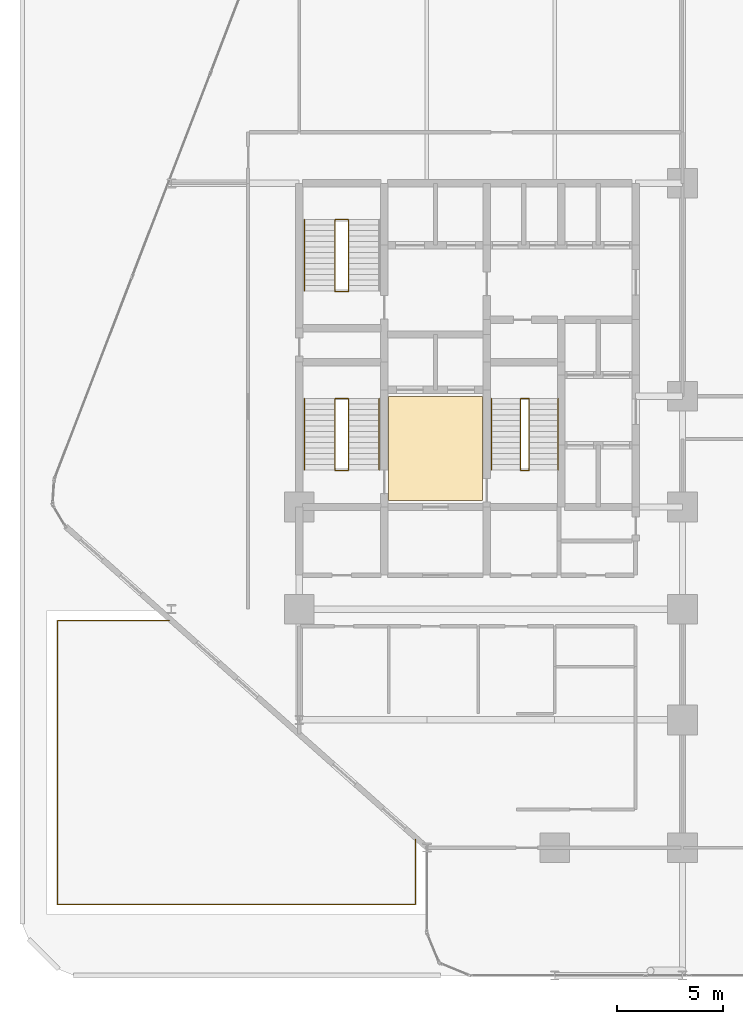
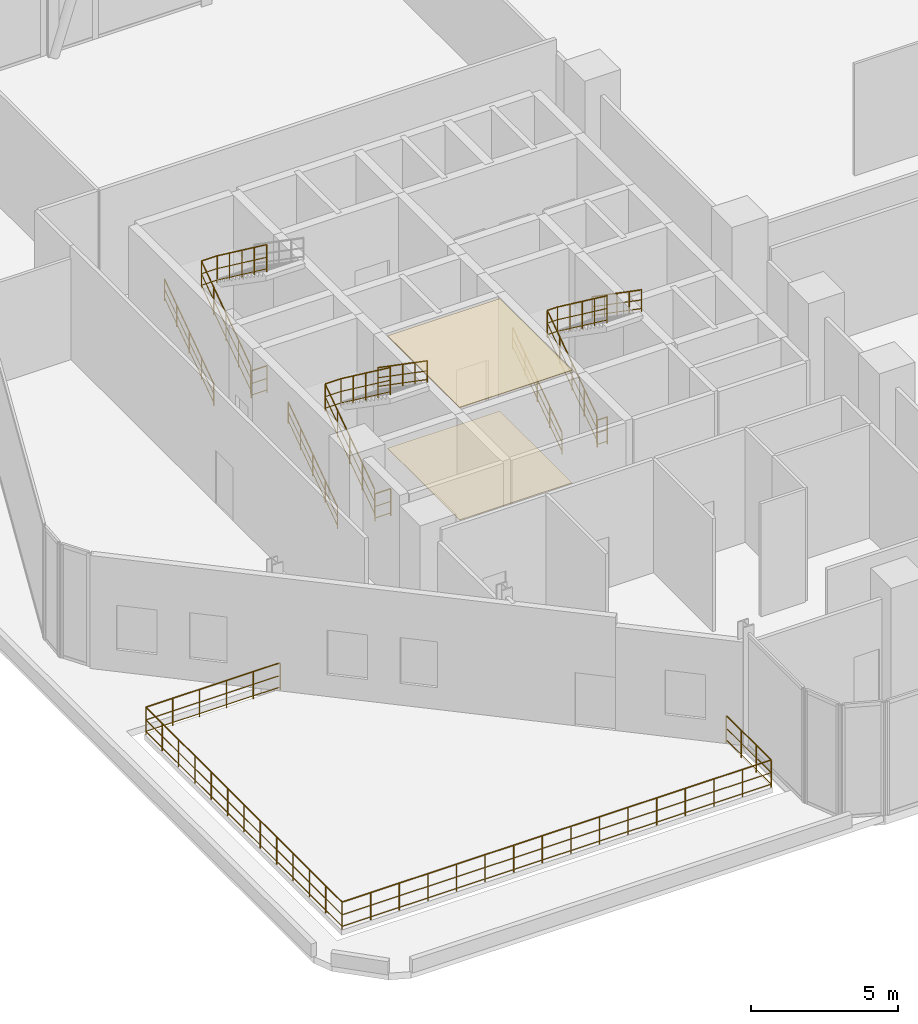
# One storey, part 28 of 29: 15 railings, 2 coverings.
"""IFC4 building model written with IfcOpenShell, lengths in metres."""

from ifc_helpers import new_model, si_unit, direction, frame, origin, origin_2d, place, context, subcontext, project, spatial, polyline, circle, outline, extrude, material, layer, layer_set, type_object, element, save


model = new_model("IFC4")

# Units and contexts
model_context = context("Model", 3, precision=1e-05, world=origin(), true_north=direction((0.0, 1.0)))
body_context = subcontext(model_context, "Body", "Model", "MODEL_VIEW")
ifc_project = project(units=[si_unit("LENGTHUNIT", "METRE"), si_unit("AREAUNIT", "SQUARE_METRE"), si_unit("VOLUMEUNIT", "CUBIC_METRE"), si_unit("PLANEANGLEUNIT", "RADIAN"), si_unit("MASSUNIT", "GRAM", prefix="KILO")], contexts=[model_context])

# Site, building, storey
site_placement = place(None, origin())
site = spatial("IfcSite", under=ifc_project, at=site_placement, CompositionType="ELEMENT")
building_placement = place(site_placement, origin())
building = spatial("IfcBuilding", under=site, at=building_placement, Name="Keshet Zoharim Tower", CompositionType="ELEMENT")
storey_placement = place(building_placement, frame((0.0, 0.0, 19.0)))
storey = spatial("IfcBuildingStorey", under=building, at=storey_placement, Name="L03", CompositionType="ELEMENT", Elevation=19.0)

# Coverings
ifc_material_1 = material(Name="Gypsum Plasterboard", Category="gypsum")
ifc_layer_1 = layer(ifc_material_1, 0.02490234375)
ifc_layer_set_1 = layer_set([ifc_layer_1], Name="Gypsum Plasterboard")
covering_type_1 = type_object("IfcCoveringType", Name="CV-CLG-025", PredefinedType="CEILING", material=ifc_layer_set_1)
covering_1_placement = place(storey_placement, frame((0.0, 0.0, 4.659912109375)))
element("IfcCovering", 1, at=covering_1_placement, inside=storey, type_object=covering_type_1, Name="L03 Core Lobby Acoustic Ceiling", PredefinedType="CEILING", context=body_context, shape_type="SweptSolid", body=[
    extrude(outline(polyline([(19.199951171875, 23.0), (23.60009765625, 23.0), (23.60009765625, 27.89990234375), (19.199951171875, 27.89990234375), (19.199951171875, 23.0)])), origin(), (0.0, 0.0, 1.0), 0.025146484375),
])
ifc_material_2 = material(Name="Porcelain Ceramic Tile", Category="ceramic")
ifc_layer_2 = layer(ifc_material_2, 0.02001953125)
ifc_layer_set_2 = layer_set([ifc_layer_2], Name="Porcelain Ceramic Tile")
covering_type_2 = type_object("IfcCoveringType", Name="CV-FLR-020", PredefinedType="FLOORING", material=ifc_layer_set_2)
covering_2_placement = place(storey_placement, origin())
element("IfcCovering", 2, at=covering_2_placement, inside=storey, type_object=covering_type_2, Name="L03 Core Lobby Porcelain Flooring", PredefinedType="FLOORING", context=body_context, shape_type="SweptSolid", body=[
    extrude(outline(polyline([(19.199951171875, 23.0), (23.60009765625, 23.0), (23.60009765625, 27.89990234375), (19.199951171875, 27.89990234375), (19.199951171875, 23.0)])), origin(), (0.0, 0.0, 1.0), 0.02001953125),
])

# Railings
ifc_material_3 = material(Name="Steel S355", Category="steel")
ifc_layer_3 = layer(ifc_material_3, 0.050048828125)
ifc_layer_set_3 = layer_set([ifc_layer_3], Name="Steel S355")
railing_type_1 = type_object("IfcRailingType", Name="RL-HND-092", PredefinedType="HANDRAIL", material=ifc_layer_set_3)
railing_1_placement = place(storey_placement, frame((15.239990234375, 24.43994140625, 0.1787109375)))
element("IfcRailing", 3, at=railing_1_placement, inside=storey, type_object=railing_type_1, Name="L03 ST-01 Flight 1 Wall Handrail", PredefinedType="HANDRAIL", context=body_context, shape_type="SweptSolid", body=[
    extrude(circle(Radius=0.02392578125, at=origin_2d()), frame((0.0, 0.0, 0.89599609375), z_axis=(0.0, 0.82227406339, 0.569091701464), x_axis=(-1.0, 0.0, 0.0)), (0.0, 0.0, 1.0), 4.078857421875),
    extrude(circle(Radius=0.01611328125, at=origin_2d()), frame((0.0, 0.0, 0.478271484375), z_axis=(0.0, 0.82227406339, 0.569091701464), x_axis=(-1.0, 0.0, 0.0)), (0.0, 0.0, 1.0), 4.078857421875),
    extrude(circle(Radius=0.01611328125, at=origin_2d()), frame((0.0, 0.0, 0.1201171875), z_axis=(0.0, 0.82227406339, 0.569091701464), x_axis=(-1.0, 0.0, 0.0)), (0.0, 0.0, 1.0), 4.078857421875),
    extrude(circle(Radius=0.02099609375, at=origin_2d()), origin(), (0.0, 0.0, 1.0), 0.871826171875),
    extrude(circle(Radius=0.02099609375, at=origin_2d()), frame((0.0, 0.83837890625, 0.580322265625)), (0.0, 0.0, 1.0), 0.871826171875),
    extrude(circle(Radius=0.02099609375, at=origin_2d()), frame((0.0, 1.677001953125, 1.16064453125)), (0.0, 0.0, 1.0), 0.871826171875),
    extrude(circle(Radius=0.02099609375, at=origin_2d()), frame((0.0, 2.515625, 1.740966796875)), (0.0, 0.0, 1.0), 0.871826171875),
    extrude(circle(Radius=0.02099609375, at=origin_2d()), frame((0.0, 3.35400390625, 2.3212890625)), (0.0, 0.0, 1.0), 0.871826171875),
])
railing_2_placement = place(storey_placement, frame((18.760009765625, 27.7939453125, 2.6787109375)))
element("IfcRailing", 4, at=railing_2_placement, inside=storey, type_object=railing_type_1, Name="L03 ST-01 Flight 2 Wall Handrail", PredefinedType="HANDRAIL", context=body_context, shape_type="SweptSolid", body=[
    extrude(circle(Radius=0.02392578125, at=origin_2d()), frame((0.0, 0.0, 0.89599609375), z_axis=(0.0, -0.82227406339, 0.569091701464), x_axis=(1.0, 0.0, 0.0)), (0.0, 0.0, 1.0), 4.078857421875),
    extrude(circle(Radius=0.01611328125, at=origin_2d()), frame((0.0, 0.0, 0.478271484375), z_axis=(0.0, -0.82227406339, 0.569091701464), x_axis=(1.0, 0.0, 0.0)), (0.0, 0.0, 1.0), 4.078857421875),
    extrude(circle(Radius=0.01611328125, at=origin_2d()), frame((0.0, 0.0, 0.1201171875), z_axis=(0.0, -0.82227406339, 0.569091701464), x_axis=(1.0, 0.0, 0.0)), (0.0, 0.0, 1.0), 4.078857421875),
    extrude(circle(Radius=0.02099609375, at=origin_2d()), origin(), (0.0, 0.0, 1.0), 0.871826171875),
    extrude(circle(Radius=0.02099609375, at=origin_2d()), frame((0.0, -0.83837890625, 0.580322265625)), (0.0, 0.0, 1.0), 0.871826171875),
    extrude(circle(Radius=0.02099609375, at=origin_2d()), frame((0.0, -1.677001953125, 1.16064453125)), (0.0, 0.0, 1.0), 0.871826171875),
    extrude(circle(Radius=0.02099609375, at=origin_2d()), frame((0.0, -2.515625, 1.740966796875)), (0.0, 0.0, 1.0), 0.871826171875),
    extrude(circle(Radius=0.02099609375, at=origin_2d()), frame((0.0, -3.35400390625, 2.3212890625)), (0.0, 0.0, 1.0), 0.871826171875),
])
for number, where, name in (
    (5, (15.239990234375, 32.840087890625, 0.1787109375), "L03 ST-02 Flight 1 Wall Handrail"),
    (6, (24.0400390625, 24.43994140625, 0.1787109375), "L03 ST-03 Flight 1 Wall Handrail"),
):
    element("IfcRailing", number, at=place(storey_placement, frame(where)), inside=storey, type_object=railing_type_1, Name=name, PredefinedType="HANDRAIL", context=body_context, shape_type="SweptSolid", body=[
        extrude(circle(Radius=0.02392578125, at=origin_2d()), frame((0.0, 0.0, 0.89599609375), z_axis=(0.0, 0.82227406339, 0.569091701464), x_axis=(-1.0, 0.0, 0.0)), (0.0, 0.0, 1.0), 4.078857421875),
        extrude(circle(Radius=0.01611328125, at=origin_2d()), frame((0.0, 0.0, 0.478271484375), z_axis=(0.0, 0.82227406339, 0.569091701464), x_axis=(-1.0, 0.0, 0.0)), (0.0, 0.0, 1.0), 4.078857421875),
        extrude(circle(Radius=0.01611328125, at=origin_2d()), frame((0.0, 0.0, 0.1201171875), z_axis=(0.0, 0.82227406339, 0.569091701464), x_axis=(-1.0, 0.0, 0.0)), (0.0, 0.0, 1.0), 4.078857421875),
        extrude(circle(Radius=0.02099609375, at=origin_2d()), origin(), (0.0, 0.0, 1.0), 0.871826171875),
        extrude(circle(Radius=0.02099609375, at=origin_2d()), frame((0.0, 0.83837890625, 0.580322265625)), (0.0, 0.0, 1.0), 0.871826171875),
        extrude(circle(Radius=0.02099609375, at=origin_2d()), frame((0.0, 1.677001953125, 1.16064453125)), (0.0, 0.0, 1.0), 0.871826171875),
        extrude(circle(Radius=0.02099609375, at=origin_2d()), frame((0.0, 2.515625, 1.740966796875)), (0.0, 0.0, 1.0), 0.871826171875),
        extrude(circle(Radius=0.02099609375, at=origin_2d()), frame((0.0, 3.35400390625, 2.3212890625)), (0.0, 0.0, 1.0), 0.871826171875),
    ])
railing_3_placement = place(storey_placement, frame((27.159912109375, 27.7939453125, 2.6787109375)))
element("IfcRailing", 7, at=railing_3_placement, inside=storey, type_object=railing_type_1, Name="L03 ST-03 Flight 2 Wall Handrail", PredefinedType="HANDRAIL", context=body_context, shape_type="SweptSolid", body=[
    extrude(circle(Radius=0.02392578125, at=origin_2d()), frame((0.0, 0.0, 0.89599609375), z_axis=(0.0, -0.82227406339, 0.569091701464), x_axis=(1.0, 0.0, 0.0)), (0.0, 0.0, 1.0), 4.078857421875),
    extrude(circle(Radius=0.01611328125, at=origin_2d()), frame((0.0, 0.0, 0.478271484375), z_axis=(0.0, -0.82227406339, 0.569091701464), x_axis=(1.0, 0.0, 0.0)), (0.0, 0.0, 1.0), 4.078857421875),
    extrude(circle(Radius=0.01611328125, at=origin_2d()), frame((0.0, 0.0, 0.1201171875), z_axis=(0.0, -0.82227406339, 0.569091701464), x_axis=(1.0, 0.0, 0.0)), (0.0, 0.0, 1.0), 4.078857421875),
    extrude(circle(Radius=0.02099609375, at=origin_2d()), origin(), (0.0, 0.0, 1.0), 0.871826171875),
    extrude(circle(Radius=0.02099609375, at=origin_2d()), frame((0.0, -0.83837890625, 0.580322265625)), (0.0, 0.0, 1.0), 0.871826171875),
    extrude(circle(Radius=0.02099609375, at=origin_2d()), frame((0.0, -1.677001953125, 1.16064453125)), (0.0, 0.0, 1.0), 0.871826171875),
    extrude(circle(Radius=0.02099609375, at=origin_2d()), frame((0.0, -2.515625, 1.740966796875)), (0.0, 0.0, 1.0), 0.871826171875),
    extrude(circle(Radius=0.02099609375, at=origin_2d()), frame((0.0, -3.35400390625, 2.3212890625)), (0.0, 0.0, 1.0), 0.871826171875),
])
ifc_layer_4 = layer(ifc_material_3, 0.06005859375)
ifc_layer_set_4 = layer_set([ifc_layer_4], Name="Steel S355")
railing_type_2 = type_object("IfcRailingType", Name="RL-STG-115", PredefinedType="GUARDRAIL", material=ifc_layer_set_4)
railing_4_placement = place(storey_placement, frame((16.68994140625, 24.43994140625, 0.1787109375)))
element("IfcRailing", 8, at=railing_4_placement, inside=storey, type_object=railing_type_2, Name="L03 ST-01 Inner Well Guardrail", PredefinedType="GUARDRAIL", context=body_context, shape_type="SweptSolid", body=[
    extrude(circle(Radius=0.02392578125, at=origin_2d()), frame((0.0, 0.0, 1.1259765625), z_axis=(0.0, 0.82227406339, 0.569091701464), x_axis=(-1.0, 0.0, 0.0)), (0.0, 0.0, 1.0), 4.078857421875),
    extrude(circle(Radius=0.01611328125, at=origin_2d()), frame((0.0, 0.0, 0.597900390625), z_axis=(0.0, 0.82227406339, 0.569091701464), x_axis=(-1.0, 0.0, 0.0)), (0.0, 0.0, 1.0), 4.078857421875),
    extrude(circle(Radius=0.01611328125, at=origin_2d()), frame((0.0, 0.0, 0.1201171875), z_axis=(0.0, 0.82227406339, 0.569091701464), x_axis=(-1.0, 0.0, 0.0)), (0.0, 0.0, 1.0), 4.078857421875),
    extrude(circle(Radius=0.02392578125, at=origin_2d()), frame((0.0, 3.35400390625, 3.447265625), z_axis=(1.0, 0.0, 0.0), x_axis=(0.0, 1.0, 0.0)), (0.0, 0.0, 1.0), 0.6201171875),
    extrude(circle(Radius=0.01611328125, at=origin_2d()), frame((0.0, 3.35400390625, 2.919189453125), z_axis=(1.0, 0.0, 0.0), x_axis=(0.0, 1.0, 0.0)), (0.0, 0.0, 1.0), 0.6201171875),
    extrude(circle(Radius=0.01611328125, at=origin_2d()), frame((0.0, 3.35400390625, 2.44140625), z_axis=(1.0, 0.0, 0.0), x_axis=(0.0, 1.0, 0.0)), (0.0, 0.0, 1.0), 0.6201171875),
    extrude(circle(Radius=0.02392578125, at=origin_2d()), frame((0.6201171875, 3.35400390625, 3.447265625), z_axis=(0.0, -0.801775353779, 0.597625536664), x_axis=(1.0, 0.0, 0.0)), (0.0, 0.0, 1.0), 4.18310546875),
    extrude(circle(Radius=0.01611328125, at=origin_2d()), frame((0.6201171875, 3.35400390625, 2.919189453125), z_axis=(0.0, -0.801775353779, 0.597625536664), x_axis=(1.0, 0.0, 0.0)), (0.0, 0.0, 1.0), 4.18310546875),
    extrude(circle(Radius=0.01611328125, at=origin_2d()), frame((0.6201171875, 3.35400390625, 2.44140625), z_axis=(0.0, -0.801775353779, 0.597625536664), x_axis=(1.0, 0.0, 0.0)), (0.0, 0.0, 1.0), 4.18310546875),
    extrude(circle(Radius=0.02099609375, at=origin_2d()), origin(), (0.0, 0.0, 1.0), 1.101806640625),
    extrude(circle(Radius=0.02099609375, at=origin_2d()), frame((0.0, 0.83837890625, 0.580322265625)), (0.0, 0.0, 1.0), 1.101806640625),
    extrude(circle(Radius=0.02099609375, at=origin_2d()), frame((0.0, 1.677001953125, 1.16064453125)), (0.0, 0.0, 1.0), 1.101806640625),
    extrude(circle(Radius=0.02099609375, at=origin_2d()), frame((0.0, 2.515625, 1.740966796875)), (0.0, 0.0, 1.0), 1.101806640625),
    extrude(circle(Radius=0.02099609375, at=origin_2d()), frame((0.0, 3.35400390625, 2.3212890625)), (0.0, 0.0, 1.0), 1.101806640625),
    extrude(circle(Radius=0.02099609375, at=origin_2d()), frame((0.6201171875, 3.35400390625, 2.3212890625)), (0.0, 0.0, 1.0), 1.101806640625),
    extrude(circle(Radius=0.02099609375, at=origin_2d()), frame((0.6201171875, 2.515625, 2.9462890625)), (0.0, 0.0, 1.0), 1.101806640625),
    extrude(circle(Radius=0.02099609375, at=origin_2d()), frame((0.6201171875, 1.677001953125, 3.5712890625)), (0.0, 0.0, 1.0), 1.101806640625),
    extrude(circle(Radius=0.02099609375, at=origin_2d()), frame((0.6201171875, 0.83837890625, 4.1962890625)), (0.0, 0.0, 1.0), 1.101806640625),
    extrude(circle(Radius=0.02099609375, at=origin_2d()), frame((0.6201171875, 0.0, 4.8212890625)), (0.0, 0.0, 1.0), 1.101806640625),
])
railing_5_placement = place(storey_placement, frame((16.68994140625, 24.409912109375, 0.0)))
element("IfcRailing", 9, at=railing_5_placement, inside=storey, type_object=railing_type_2, Name="L03 ST-01 Stairwell Floor Guardrail", PredefinedType="GUARDRAIL", context=body_context, shape_type="SweptSolid", body=[
    extrude(circle(Radius=0.02392578125, at=origin_2d()), frame((0.0, 0.0, 1.1259765625), z_axis=(1.0, 0.0, 0.0), x_axis=(0.0, 1.0, 0.0)), (0.0, 0.0, 1.0), 0.6201171875),
    extrude(circle(Radius=0.01611328125, at=origin_2d()), frame((0.0, 0.0, 0.597900390625), z_axis=(1.0, 0.0, 0.0), x_axis=(0.0, 1.0, 0.0)), (0.0, 0.0, 1.0), 0.6201171875),
    extrude(circle(Radius=0.01611328125, at=origin_2d()), frame((0.0, 0.0, 0.1201171875), z_axis=(1.0, 0.0, 0.0), x_axis=(0.0, 1.0, 0.0)), (0.0, 0.0, 1.0), 0.6201171875),
    extrude(circle(Radius=0.02099609375, at=origin_2d()), origin(), (0.0, 0.0, 1.0), 1.101806640625),
    extrude(circle(Radius=0.02099609375, at=origin_2d()), frame((0.6201171875, 0.0, 0.0)), (0.0, 0.0, 1.0), 1.101806640625),
])
railing_6_placement = place(storey_placement, frame((16.68994140625, 32.840087890625, 0.1787109375)))
element("IfcRailing", 10, at=railing_6_placement, inside=storey, type_object=railing_type_2, Name="L03 ST-02 Inner Well Guardrail", PredefinedType="GUARDRAIL", context=body_context, shape_type="SweptSolid", body=[
    extrude(circle(Radius=0.02392578125, at=origin_2d()), frame((0.0, 0.0, 1.1259765625), z_axis=(0.0, 0.82227406339, 0.569091701464), x_axis=(-1.0, 0.0, 0.0)), (0.0, 0.0, 1.0), 4.078857421875),
    extrude(circle(Radius=0.01611328125, at=origin_2d()), frame((0.0, 0.0, 0.597900390625), z_axis=(0.0, 0.82227406339, 0.569091701464), x_axis=(-1.0, 0.0, 0.0)), (0.0, 0.0, 1.0), 4.078857421875),
    extrude(circle(Radius=0.01611328125, at=origin_2d()), frame((0.0, 0.0, 0.1201171875), z_axis=(0.0, 0.82227406339, 0.569091701464), x_axis=(-1.0, 0.0, 0.0)), (0.0, 0.0, 1.0), 4.078857421875),
    extrude(circle(Radius=0.02392578125, at=origin_2d()), frame((0.0, 3.35400390625, 3.447265625), z_axis=(1.0, 0.0, 0.0), x_axis=(0.0, 1.0, 0.0)), (0.0, 0.0, 1.0), 0.6201171875),
    extrude(circle(Radius=0.01611328125, at=origin_2d()), frame((0.0, 3.35400390625, 2.919189453125), z_axis=(1.0, 0.0, 0.0), x_axis=(0.0, 1.0, 0.0)), (0.0, 0.0, 1.0), 0.6201171875),
    extrude(circle(Radius=0.01611328125, at=origin_2d()), frame((0.0, 3.35400390625, 2.44140625), z_axis=(1.0, 0.0, 0.0), x_axis=(0.0, 1.0, 0.0)), (0.0, 0.0, 1.0), 0.6201171875),
    extrude(circle(Radius=0.02392578125, at=origin_2d()), frame((0.6201171875, 3.35400390625, 3.447265625), z_axis=(0.0, -0.801775353779, 0.597625536664), x_axis=(1.0, 0.0, 0.0)), (0.0, 0.0, 1.0), 4.18310546875),
    extrude(circle(Radius=0.01611328125, at=origin_2d()), frame((0.6201171875, 3.35400390625, 2.919189453125), z_axis=(0.0, -0.801775353779, 0.597625536664), x_axis=(1.0, 0.0, 0.0)), (0.0, 0.0, 1.0), 4.18310546875),
    extrude(circle(Radius=0.01611328125, at=origin_2d()), frame((0.6201171875, 3.35400390625, 2.44140625), z_axis=(0.0, -0.801775353779, 0.597625536664), x_axis=(1.0, 0.0, 0.0)), (0.0, 0.0, 1.0), 4.18310546875),
    extrude(circle(Radius=0.02099609375, at=origin_2d()), origin(), (0.0, 0.0, 1.0), 1.101806640625),
    extrude(circle(Radius=0.02099609375, at=origin_2d()), frame((0.0, 0.83837890625, 0.580322265625)), (0.0, 0.0, 1.0), 1.101806640625),
    extrude(circle(Radius=0.02099609375, at=origin_2d()), frame((0.0, 1.677001953125, 1.16064453125)), (0.0, 0.0, 1.0), 1.101806640625),
    extrude(circle(Radius=0.02099609375, at=origin_2d()), frame((0.0, 2.515625, 1.740966796875)), (0.0, 0.0, 1.0), 1.101806640625),
    extrude(circle(Radius=0.02099609375, at=origin_2d()), frame((0.0, 3.35400390625, 2.3212890625)), (0.0, 0.0, 1.0), 1.101806640625),
    extrude(circle(Radius=0.02099609375, at=origin_2d()), frame((0.6201171875, 3.35400390625, 2.3212890625)), (0.0, 0.0, 1.0), 1.101806640625),
    extrude(circle(Radius=0.02099609375, at=origin_2d()), frame((0.6201171875, 2.515625, 2.9462890625)), (0.0, 0.0, 1.0), 1.101806640625),
    extrude(circle(Radius=0.02099609375, at=origin_2d()), frame((0.6201171875, 1.677001953125, 3.5712890625)), (0.0, 0.0, 1.0), 1.101806640625),
    extrude(circle(Radius=0.02099609375, at=origin_2d()), frame((0.6201171875, 0.83837890625, 4.1962890625)), (0.0, 0.0, 1.0), 1.101806640625),
    extrude(circle(Radius=0.02099609375, at=origin_2d()), frame((0.6201171875, 0.0, 4.8212890625)), (0.0, 0.0, 1.0), 1.101806640625),
])
railing_7_placement = place(storey_placement, frame((16.68994140625, 32.81005859375, 0.0)))
element("IfcRailing", 11, at=railing_7_placement, inside=storey, type_object=railing_type_2, Name="L03 ST-02 Stairwell Floor Guardrail", PredefinedType="GUARDRAIL", context=body_context, shape_type="SweptSolid", body=[
    extrude(circle(Radius=0.02392578125, at=origin_2d()), frame((0.0, 0.0, 1.1259765625), z_axis=(1.0, 0.0, 0.0), x_axis=(0.0, 1.0, 0.0)), (0.0, 0.0, 1.0), 0.6201171875),
    extrude(circle(Radius=0.01611328125, at=origin_2d()), frame((0.0, 0.0, 0.597900390625), z_axis=(1.0, 0.0, 0.0), x_axis=(0.0, 1.0, 0.0)), (0.0, 0.0, 1.0), 0.6201171875),
    extrude(circle(Radius=0.01611328125, at=origin_2d()), frame((0.0, 0.0, 0.1201171875), z_axis=(1.0, 0.0, 0.0), x_axis=(0.0, 1.0, 0.0)), (0.0, 0.0, 1.0), 0.6201171875),
    extrude(circle(Radius=0.02099609375, at=origin_2d()), origin(), (0.0, 0.0, 1.0), 1.101806640625),
    extrude(circle(Radius=0.02099609375, at=origin_2d()), frame((0.6201171875, 0.0, 0.0)), (0.0, 0.0, 1.0), 1.101806640625),
])
railing_8_placement = place(storey_placement, frame((25.39990234375, 24.43994140625, 0.1787109375)))
element("IfcRailing", 12, at=railing_8_placement, inside=storey, type_object=railing_type_2, Name="L03 ST-03 Inner Well Guardrail", PredefinedType="GUARDRAIL", context=body_context, shape_type="SweptSolid", body=[
    extrude(circle(Radius=0.02392578125, at=origin_2d()), frame((0.0, 0.0, 1.1259765625), z_axis=(0.0, 0.82227406339, 0.569091701464), x_axis=(-1.0, 0.0, 0.0)), (0.0, 0.0, 1.0), 4.078857421875),
    extrude(circle(Radius=0.01611328125, at=origin_2d()), frame((0.0, 0.0, 0.597900390625), z_axis=(0.0, 0.82227406339, 0.569091701464), x_axis=(-1.0, 0.0, 0.0)), (0.0, 0.0, 1.0), 4.078857421875),
    extrude(circle(Radius=0.01611328125, at=origin_2d()), frame((0.0, 0.0, 0.1201171875), z_axis=(0.0, 0.82227406339, 0.569091701464), x_axis=(-1.0, 0.0, 0.0)), (0.0, 0.0, 1.0), 4.078857421875),
    extrude(circle(Radius=0.02392578125, at=origin_2d()), frame((0.0, 3.35400390625, 3.447265625), z_axis=(1.0, 0.0, 0.0), x_axis=(0.0, 1.0, 0.0)), (0.0, 0.0, 1.0), 0.400146484375),
    extrude(circle(Radius=0.01611328125, at=origin_2d()), frame((0.0, 3.35400390625, 2.919189453125), z_axis=(1.0, 0.0, 0.0), x_axis=(0.0, 1.0, 0.0)), (0.0, 0.0, 1.0), 0.400146484375),
    extrude(circle(Radius=0.01611328125, at=origin_2d()), frame((0.0, 3.35400390625, 2.44140625), z_axis=(1.0, 0.0, 0.0), x_axis=(0.0, 1.0, 0.0)), (0.0, 0.0, 1.0), 0.400146484375),
    extrude(circle(Radius=0.02392578125, at=origin_2d()), frame((0.400146484375, 3.35400390625, 3.447265625), z_axis=(0.0, -0.801775353779, 0.597625536664), x_axis=(1.0, 0.0, 0.0)), (0.0, 0.0, 1.0), 4.18310546875),
    extrude(circle(Radius=0.01611328125, at=origin_2d()), frame((0.400146484375, 3.35400390625, 2.919189453125), z_axis=(0.0, -0.801775353779, 0.597625536664), x_axis=(1.0, 0.0, 0.0)), (0.0, 0.0, 1.0), 4.18310546875),
    extrude(circle(Radius=0.01611328125, at=origin_2d()), frame((0.400146484375, 3.35400390625, 2.44140625), z_axis=(0.0, -0.801775353779, 0.597625536664), x_axis=(1.0, 0.0, 0.0)), (0.0, 0.0, 1.0), 4.18310546875),
    extrude(circle(Radius=0.02099609375, at=origin_2d()), origin(), (0.0, 0.0, 1.0), 1.101806640625),
    extrude(circle(Radius=0.02099609375, at=origin_2d()), frame((0.0, 0.83837890625, 0.580322265625)), (0.0, 0.0, 1.0), 1.101806640625),
    extrude(circle(Radius=0.02099609375, at=origin_2d()), frame((0.0, 1.677001953125, 1.16064453125)), (0.0, 0.0, 1.0), 1.101806640625),
    extrude(circle(Radius=0.02099609375, at=origin_2d()), frame((0.0, 2.515625, 1.740966796875)), (0.0, 0.0, 1.0), 1.101806640625),
    extrude(circle(Radius=0.02099609375, at=origin_2d()), frame((0.0, 3.35400390625, 2.3212890625)), (0.0, 0.0, 1.0), 1.101806640625),
    extrude(circle(Radius=0.02099609375, at=origin_2d()), frame((0.400146484375, 3.35400390625, 2.3212890625)), (0.0, 0.0, 1.0), 1.101806640625),
    extrude(circle(Radius=0.02099609375, at=origin_2d()), frame((0.400146484375, 2.515625, 2.9462890625)), (0.0, 0.0, 1.0), 1.101806640625),
    extrude(circle(Radius=0.02099609375, at=origin_2d()), frame((0.400146484375, 1.677001953125, 3.5712890625)), (0.0, 0.0, 1.0), 1.101806640625),
    extrude(circle(Radius=0.02099609375, at=origin_2d()), frame((0.400146484375, 0.83837890625, 4.1962890625)), (0.0, 0.0, 1.0), 1.101806640625),
    extrude(circle(Radius=0.02099609375, at=origin_2d()), frame((0.400146484375, 0.0, 4.8212890625)), (0.0, 0.0, 1.0), 1.101806640625),
])
railing_9_placement = place(storey_placement, frame((25.39990234375, 24.409912109375, 0.0)))
element("IfcRailing", 13, at=railing_9_placement, inside=storey, type_object=railing_type_2, Name="L03 ST-03 Stairwell Floor Guardrail", PredefinedType="GUARDRAIL", context=body_context, shape_type="SweptSolid", body=[
    extrude(circle(Radius=0.02392578125, at=origin_2d()), frame((0.0, 0.0, 1.1259765625), z_axis=(1.0, 0.0, 0.0), x_axis=(0.0, 1.0, 0.0)), (0.0, 0.0, 1.0), 0.400146484375),
    extrude(circle(Radius=0.01611328125, at=origin_2d()), frame((0.0, 0.0, 0.597900390625), z_axis=(1.0, 0.0, 0.0), x_axis=(0.0, 1.0, 0.0)), (0.0, 0.0, 1.0), 0.400146484375),
    extrude(circle(Radius=0.01611328125, at=origin_2d()), frame((0.0, 0.0, 0.1201171875), z_axis=(1.0, 0.0, 0.0), x_axis=(0.0, 1.0, 0.0)), (0.0, 0.0, 1.0), 0.400146484375),
    extrude(circle(Radius=0.02099609375, at=origin_2d()), origin(), (0.0, 0.0, 1.0), 1.101806640625),
    extrude(circle(Radius=0.02099609375, at=origin_2d()), frame((0.400146484375, 0.0, 0.0)), (0.0, 0.0, 1.0), 1.101806640625),
])
ifc_layer_5 = layer(ifc_material_3, 0.070068359375)
ifc_layer_set_5 = layer_set([ifc_layer_5], Name="Steel S355")
railing_type_3 = type_object("IfcRailingType", Name="RL-TER-115", PredefinedType="GUARDRAIL", material=ifc_layer_set_5)
railing_10_placement = place(storey_placement, frame((20.4599609375, 7.0859375, 0.0)))
element("IfcRailing", 14, at=railing_10_placement, inside=storey, type_object=railing_type_3, Name="L03 Terrace Perimeter Guardrail 01", PredefinedType="GUARDRAIL", context=body_context, shape_type="SweptSolid", body=[
    extrude(circle(Radius=0.02392578125, at=origin_2d()), frame((0.0, 0.0, 1.1259765625), z_axis=(0.0, -1.0, 0.0), x_axis=(1.0, 0.0, 0.0)), (0.0, 0.0, 1.0), 3.0458984375),
    extrude(circle(Radius=0.01611328125, at=origin_2d()), frame((0.0, 0.0, 0.597900390625), z_axis=(0.0, -1.0, 0.0), x_axis=(1.0, 0.0, 0.0)), (0.0, 0.0, 1.0), 3.0458984375),
    extrude(circle(Radius=0.01611328125, at=origin_2d()), frame((0.0, 0.0, 0.1201171875), z_axis=(0.0, -1.0, 0.0), x_axis=(1.0, 0.0, 0.0)), (0.0, 0.0, 1.0), 3.0458984375),
    extrude(circle(Radius=0.02099609375, at=origin_2d()), origin(), (0.0, 0.0, 1.0), 1.101806640625),
    extrude(circle(Radius=0.02099609375, at=origin_2d()), frame((0.0, -1.015380859375, 0.0)), (0.0, 0.0, 1.0), 1.101806640625),
    extrude(circle(Radius=0.02099609375, at=origin_2d()), frame((0.0, -2.030517578125, 0.0)), (0.0, 0.0, 1.0), 1.101806640625),
    extrude(circle(Radius=0.02099609375, at=origin_2d()), frame((0.0, -3.0458984375, 0.0)), (0.0, 0.0, 1.0), 1.101806640625),
])
railing_11_placement = place(storey_placement, frame((20.4599609375, 4.0400390625, 0.0)))
element("IfcRailing", 15, at=railing_11_placement, inside=storey, type_object=railing_type_3, Name="L03 Terrace Perimeter Guardrail 02", PredefinedType="GUARDRAIL", context=body_context, shape_type="SweptSolid", body=[
    extrude(circle(Radius=0.02392578125, at=origin_2d()), frame((0.0, 0.0, 1.1259765625), z_axis=(-1.0, 0.0, 0.0), x_axis=(0.0, -1.0, 0.0)), (0.0, 0.0, 1.0), 16.820068359375),
    extrude(circle(Radius=0.01611328125, at=origin_2d()), frame((0.0, 0.0, 0.597900390625), z_axis=(-1.0, 0.0, 0.0), x_axis=(0.0, -1.0, 0.0)), (0.0, 0.0, 1.0), 16.820068359375),
    extrude(circle(Radius=0.01611328125, at=origin_2d()), frame((0.0, 0.0, 0.1201171875), z_axis=(-1.0, 0.0, 0.0), x_axis=(0.0, -1.0, 0.0)), (0.0, 0.0, 1.0), 16.820068359375),
    extrude(circle(Radius=0.02099609375, at=origin_2d()), origin(), (0.0, 0.0, 1.0), 1.101806640625),
    extrude(circle(Radius=0.02099609375, at=origin_2d()), frame((-1.121337890625, 0.0, 0.0)), (0.0, 0.0, 1.0), 1.101806640625),
    extrude(circle(Radius=0.02099609375, at=origin_2d()), frame((-2.24267578125, 0.0, 0.0)), (0.0, 0.0, 1.0), 1.101806640625),
    extrude(circle(Radius=0.02099609375, at=origin_2d()), frame((-3.364013671875, 0.0, 0.0)), (0.0, 0.0, 1.0), 1.101806640625),
    extrude(circle(Radius=0.02099609375, at=origin_2d()), frame((-4.4853515625, 0.0, 0.0)), (0.0, 0.0, 1.0), 1.101806640625),
    extrude(circle(Radius=0.02099609375, at=origin_2d()), frame((-5.606689453125, 0.0, 0.0)), (0.0, 0.0, 1.0), 1.101806640625),
    extrude(circle(Radius=0.02099609375, at=origin_2d()), frame((-6.72802734375, 0.0, 0.0)), (0.0, 0.0, 1.0), 1.101806640625),
    extrude(circle(Radius=0.02099609375, at=origin_2d()), frame((-7.849365234375, 0.0, 0.0)), (0.0, 0.0, 1.0), 1.101806640625),
    extrude(circle(Radius=0.02099609375, at=origin_2d()), frame((-8.970703125, 0.0, 0.0)), (0.0, 0.0, 1.0), 1.101806640625),
    extrude(circle(Radius=0.02099609375, at=origin_2d()), frame((-10.092041015625, 0.0, 0.0)), (0.0, 0.0, 1.0), 1.101806640625),
    extrude(circle(Radius=0.02099609375, at=origin_2d()), frame((-11.21337890625, 0.0, 0.0)), (0.0, 0.0, 1.0), 1.101806640625),
    extrude(circle(Radius=0.02099609375, at=origin_2d()), frame((-12.334716796875, 0.0, 0.0)), (0.0, 0.0, 1.0), 1.101806640625),
    extrude(circle(Radius=0.02099609375, at=origin_2d()), frame((-13.4560546875, 0.0, 0.0)), (0.0, 0.0, 1.0), 1.101806640625),
    extrude(circle(Radius=0.02099609375, at=origin_2d()), frame((-14.577392578125, 0.0, 0.0)), (0.0, 0.0, 1.0), 1.101806640625),
    extrude(circle(Radius=0.02099609375, at=origin_2d()), frame((-15.69873046875, 0.0, 0.0)), (0.0, 0.0, 1.0), 1.101806640625),
    extrude(circle(Radius=0.02099609375, at=origin_2d()), frame((-16.820068359375, 0.0, 0.0)), (0.0, 0.0, 1.0), 1.101806640625),
])
railing_12_placement = place(storey_placement, frame((3.639892578125, 4.0400390625, 0.0)))
element("IfcRailing", 16, at=railing_12_placement, inside=storey, type_object=railing_type_3, Name="L03 Terrace Perimeter Guardrail 03", PredefinedType="GUARDRAIL", context=body_context, shape_type="SweptSolid", body=[
    extrude(circle(Radius=0.02392578125, at=origin_2d()), frame((0.0, 0.0, 1.1259765625), z_axis=(0.0, 1.0, 0.0), x_axis=(-1.0, 0.0, 0.0)), (0.0, 0.0, 1.0), 13.320068359375),
    extrude(circle(Radius=0.01611328125, at=origin_2d()), frame((0.0, 0.0, 0.597900390625), z_axis=(0.0, 1.0, 0.0), x_axis=(-1.0, 0.0, 0.0)), (0.0, 0.0, 1.0), 13.320068359375),
    extrude(circle(Radius=0.01611328125, at=origin_2d()), frame((0.0, 0.0, 0.1201171875), z_axis=(0.0, 1.0, 0.0), x_axis=(-1.0, 0.0, 0.0)), (0.0, 0.0, 1.0), 13.320068359375),
    extrude(circle(Radius=0.02099609375, at=origin_2d()), origin(), (0.0, 0.0, 1.0), 1.101806640625),
    extrude(circle(Radius=0.02099609375, at=origin_2d()), frame((0.0, 1.110107421875, 0.0)), (0.0, 0.0, 1.0), 1.101806640625),
    extrude(circle(Radius=0.02099609375, at=origin_2d()), frame((0.0, 2.219970703125, 0.0)), (0.0, 0.0, 1.0), 1.101806640625),
    extrude(circle(Radius=0.02099609375, at=origin_2d()), frame((0.0, 3.330078125, 0.0)), (0.0, 0.0, 1.0), 1.101806640625),
    extrude(circle(Radius=0.02099609375, at=origin_2d()), frame((0.0, 4.43994140625, 0.0)), (0.0, 0.0, 1.0), 1.101806640625),
    extrude(circle(Radius=0.02099609375, at=origin_2d()), frame((0.0, 5.550048828125, 0.0)), (0.0, 0.0, 1.0), 1.101806640625),
    extrude(circle(Radius=0.02099609375, at=origin_2d()), frame((0.0, 6.66015625, 0.0)), (0.0, 0.0, 1.0), 1.101806640625),
    extrude(circle(Radius=0.02099609375, at=origin_2d()), frame((0.0, 7.77001953125, 0.0)), (0.0, 0.0, 1.0), 1.101806640625),
    extrude(circle(Radius=0.02099609375, at=origin_2d()), frame((0.0, 8.880126953125, 0.0)), (0.0, 0.0, 1.0), 1.101806640625),
    extrude(circle(Radius=0.02099609375, at=origin_2d()), frame((0.0, 9.989990234375, 0.0)), (0.0, 0.0, 1.0), 1.101806640625),
    extrude(circle(Radius=0.02099609375, at=origin_2d()), frame((0.0, 11.10009765625, 0.0)), (0.0, 0.0, 1.0), 1.101806640625),
    extrude(circle(Radius=0.02099609375, at=origin_2d()), frame((0.0, 12.2099609375, 0.0)), (0.0, 0.0, 1.0), 1.101806640625),
    extrude(circle(Radius=0.02099609375, at=origin_2d()), frame((0.0, 13.320068359375, 0.0)), (0.0, 0.0, 1.0), 1.101806640625),
])
railing_13_placement = place(storey_placement, frame((3.639892578125, 17.360107421875, 0.0)))
element("IfcRailing", 17, at=railing_13_placement, inside=storey, type_object=railing_type_3, Name="L03 Terrace Perimeter Guardrail 04", PredefinedType="GUARDRAIL", context=body_context, shape_type="SweptSolid", body=[
    extrude(circle(Radius=0.02392578125, at=origin_2d()), frame((0.0, 0.0, 1.1259765625), z_axis=(1.0, 0.0, 0.0), x_axis=(0.0, 1.0, 0.0)), (0.0, 0.0, 1.0), 5.26220703125),
    extrude(circle(Radius=0.01611328125, at=origin_2d()), frame((0.0, 0.0, 0.597900390625), z_axis=(1.0, 0.0, 0.0), x_axis=(0.0, 1.0, 0.0)), (0.0, 0.0, 1.0), 5.26220703125),
    extrude(circle(Radius=0.01611328125, at=origin_2d()), frame((0.0, 0.0, 0.1201171875), z_axis=(1.0, 0.0, 0.0), x_axis=(0.0, 1.0, 0.0)), (0.0, 0.0, 1.0), 5.26220703125),
    extrude(circle(Radius=0.02099609375, at=origin_2d()), origin(), (0.0, 0.0, 1.0), 1.101806640625),
    extrude(circle(Radius=0.02099609375, at=origin_2d()), frame((1.052490234375, 0.0, 0.0)), (0.0, 0.0, 1.0), 1.101806640625),
    extrude(circle(Radius=0.02099609375, at=origin_2d()), frame((2.10498046875, 0.0, 0.0)), (0.0, 0.0, 1.0), 1.101806640625),
    extrude(circle(Radius=0.02099609375, at=origin_2d()), frame((3.1572265625, 0.0, 0.0)), (0.0, 0.0, 1.0), 1.101806640625),
    extrude(circle(Radius=0.02099609375, at=origin_2d()), frame((4.209716796875, 0.0, 0.0)), (0.0, 0.0, 1.0), 1.101806640625),
    extrude(circle(Radius=0.02099609375, at=origin_2d()), frame((5.26220703125, 0.0, 0.0)), (0.0, 0.0, 1.0), 1.101806640625),
])

save(model, "model.ifc")
